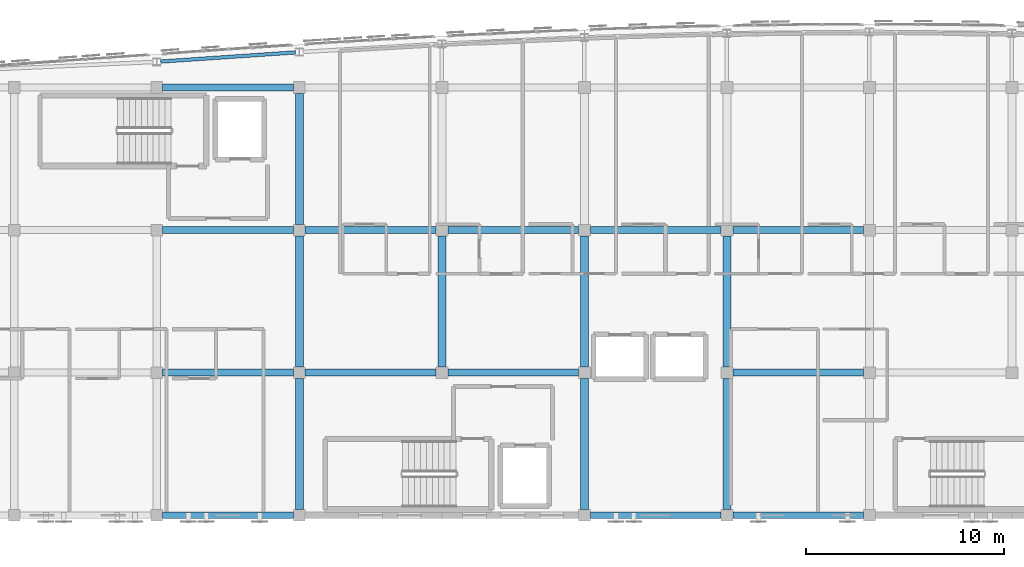
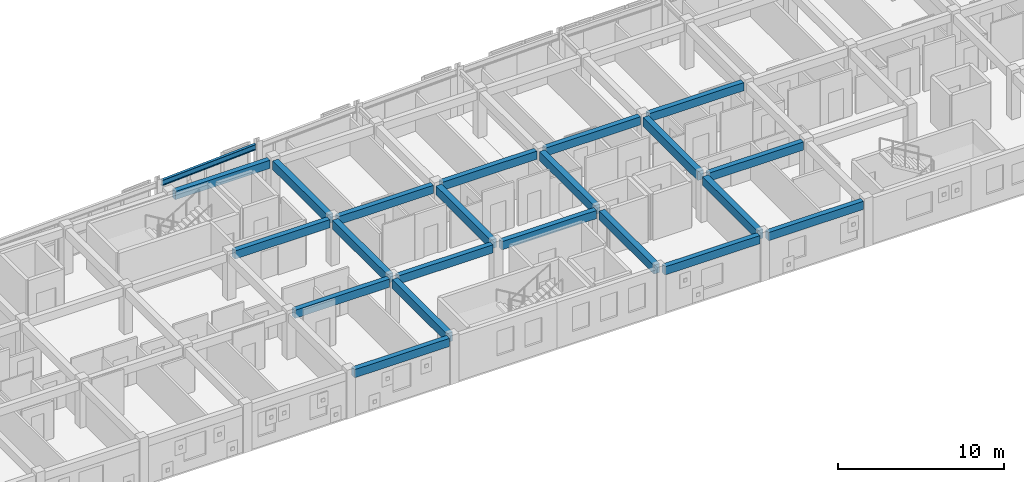
# One storey, part 10 of 45: 22 beams.
"""IFC4 building model written with IfcOpenShell, lengths in metres."""

from ifc_helpers import new_model, si_unit, direction, frame, origin, origin_2d, place, context, subcontext, project, spatial, rectangle, i_section, extrude, material, material_profile, profile_set, type_object, element, save


model = new_model("IFC4")

# Units and contexts
model_context = context("Model", 3, precision=1e-05, world=origin(), true_north=direction((0.0, 1.0)))
body_context = subcontext(model_context, "Body", "Model", "MODEL_VIEW")
ifc_project = project(units=[si_unit("LENGTHUNIT", "METRE"), si_unit("AREAUNIT", "SQUARE_METRE"), si_unit("VOLUMEUNIT", "CUBIC_METRE"), si_unit("PLANEANGLEUNIT", "RADIAN"), si_unit("MASSUNIT", "GRAM", prefix="KILO")], contexts=[model_context])

# Site, building, storey
site_placement = place(None, origin())
site = spatial("IfcSite", under=ifc_project, at=site_placement, CompositionType="ELEMENT")
building_placement = place(site_placement, origin())
building = spatial("IfcBuilding", under=site, at=building_placement, Name="Carrowvane Square Congress Hotel", CompositionType="ELEMENT")
storey_placement = place(building_placement, frame((0.0, 0.0, 33.60009765625)))
storey = spatial("IfcBuildingStorey", under=building, at=storey_placement, Name="L08", CompositionType="ELEMENT", Elevation=33.60009765625)

# Beams
ifc_material_1 = material(Name="Concrete C35/45", Category="concrete")
ifc_material_profile_1 = material_profile(ifc_material_1, rectangle(XDim=0.35009765625, YDim=0.60009765625, at=origin_2d()), Name="RC 350x600")
ifc_profile_set_1 = profile_set([ifc_material_profile_1], Name="Concrete C35/45")
beam_type_1 = type_object("IfcBeamType", Name="BM-RC-350x600", PredefinedType="BEAM", material=ifc_profile_set_1)
beam_1_placement = place(storey_placement, frame((62.300048828125, 91.800048828125, 3.059814453125), z_axis=(1.0, 0.0, 0.0), x_axis=(0.0, 1.0, 0.0)))
element("IfcBeam", 1, at=beam_1_placement, inside=storey, type_object=beam_type_1, Name="L09 girder N/8-9", PredefinedType="BEAM", context=body_context, shape_type="SweptSolid", body=[
    extrude(rectangle(XDim=0.35009765625, YDim=0.60009765625, at=origin_2d()), origin(), (0.0, 0.0, 1.0), 6.599853515625),
])
beam_2_placement = place(storey_placement, frame((83.89990234375, 91.800048828125, 3.059814453125), z_axis=(1.0, 0.0, 0.0), x_axis=(0.0, 1.0, 0.0)))
element("IfcBeam", 2, at=beam_2_placement, inside=storey, type_object=beam_type_1, Name="L09 girder N/11-12", PredefinedType="BEAM", context=body_context, shape_type="SweptSolid", body=[
    extrude(rectangle(XDim=0.35009765625, YDim=0.60009765625, at=origin_2d()), origin(), (0.0, 0.0, 1.0), 6.60009765625),
])
for number, where, z_axis, x_axis, name in (
    (3, (91.10009765625, 91.800048828125, 3.059814453125), (1.0, 0.0, 0.0), (0.0, 1.0, 0.0), "L09 girder N/12-13"),
    (4, (62.300048828125, 99.0, 3.059814453125), (1.0, 0.0, 0.0), (0.0, 1.0, 0.0), "L09 girder P/8-9"),
):
    element("IfcBeam", number, at=place(storey_placement, frame(where, z_axis=z_axis, x_axis=x_axis)), inside=storey, type_object=beam_type_1, Name=name, PredefinedType="BEAM", context=body_context, shape_type="SweptSolid", body=[
        extrude(rectangle(XDim=0.35009765625, YDim=0.60009765625, at=origin_2d()), origin(), (0.0, 0.0, 1.0), 6.599853515625),
    ])
for number, where, z_axis, x_axis, name in (
    (5, (69.5, 99.0, 3.059814453125), (1.0, 0.0, 0.0), (0.0, 1.0, 0.0), "L09 girder P/9-10"),
    (6, (76.699951171875, 99.0, 3.059814453125), (1.0, 0.0, 0.0), (0.0, 1.0, 0.0), "L09 girder P/10-11"),
):
    element("IfcBeam", number, at=place(storey_placement, frame(where, z_axis=z_axis, x_axis=x_axis)), inside=storey, type_object=beam_type_1, Name=name, PredefinedType="BEAM", context=body_context, shape_type="SweptSolid", body=[
        extrude(rectangle(XDim=0.35009765625, YDim=0.60009765625, at=origin_2d()), origin(), (0.0, 0.0, 1.0), 6.60009765625),
    ])
for number, where, z_axis, x_axis, name in (
    (7, (91.10009765625, 99.0, 3.059814453125), (1.0, 0.0, 0.0), (0.0, 1.0, 0.0), "L09 girder P/12-13"),
    (8, (62.300048828125, 106.199951171875, 3.059814453125), (1.0, 0.0, 0.0), (0.0, 1.0, 0.0), "L09 girder Q/8-9"),
):
    element("IfcBeam", number, at=place(storey_placement, frame(where, z_axis=z_axis, x_axis=x_axis)), inside=storey, type_object=beam_type_1, Name=name, PredefinedType="BEAM", context=body_context, shape_type="SweptSolid", body=[
        extrude(rectangle(XDim=0.35009765625, YDim=0.60009765625, at=origin_2d()), origin(), (0.0, 0.0, 1.0), 6.599853515625),
    ])
for number, where, z_axis, x_axis, name in (
    (9, (69.5, 106.199951171875, 3.059814453125), (1.0, 0.0, 0.0), (0.0, 1.0, 0.0), "L09 girder Q/9-10"),
    (10, (76.699951171875, 106.199951171875, 3.059814453125), (1.0, 0.0, 0.0), (0.0, 1.0, 0.0), "L09 girder Q/10-11"),
    (11, (83.89990234375, 106.199951171875, 3.059814453125), (1.0, 0.0, 0.0), (0.0, 1.0, 0.0), "L09 girder Q/11-12"),
):
    element("IfcBeam", number, at=place(storey_placement, frame(where, z_axis=z_axis, x_axis=x_axis)), inside=storey, type_object=beam_type_1, Name=name, PredefinedType="BEAM", context=body_context, shape_type="SweptSolid", body=[
        extrude(rectangle(XDim=0.35009765625, YDim=0.60009765625, at=origin_2d()), origin(), (0.0, 0.0, 1.0), 6.60009765625),
    ])
for number, where, z_axis, x_axis, name in (
    (12, (91.10009765625, 106.199951171875, 3.059814453125), (1.0, 0.0, 0.0), (0.0, 1.0, 0.0), "L09 girder Q/12-13"),
    (13, (62.300048828125, 113.39990234375, 3.059814453125), (1.0, 0.0, 0.0), (0.0, 1.0, 0.0), "L09 girder R/8-9"),
):
    element("IfcBeam", number, at=place(storey_placement, frame(where, z_axis=z_axis, x_axis=x_axis)), inside=storey, type_object=beam_type_1, Name=name, PredefinedType="BEAM", context=body_context, shape_type="SweptSolid", body=[
        extrude(rectangle(XDim=0.35009765625, YDim=0.60009765625, at=origin_2d()), origin(), (0.0, 0.0, 1.0), 6.599853515625),
    ])
ifc_material_2 = material(Name="Concrete C35/45", Category="concrete")
ifc_material_profile_2 = material_profile(ifc_material_2, rectangle(XDim=0.39990234375, YDim=0.64990234375, at=origin_2d()), Name="RC 400x650")
ifc_profile_set_2 = profile_set([ifc_material_profile_2], Name="Concrete C35/45")
beam_type_2 = type_object("IfcBeamType", Name="BM-RC-400x650", PredefinedType="BEAM", material=ifc_profile_set_2)
for number, where, z_axis, x_axis, name in (
    (14, (69.199951171875, 92.10009765625, 3.034912109375), (0.0, 1.0, 0.0), (-1.0, 0.0, 0.0), "L09 girder 9/N-P"),
    (15, (69.199951171875, 99.300048828125, 3.034912109375), (0.0, 1.0, 0.0), (-1.0, 0.0, 0.0), "L09 girder 9/P-Q"),
):
    element("IfcBeam", number, at=place(storey_placement, frame(where, z_axis=z_axis, x_axis=x_axis)), inside=storey, type_object=beam_type_2, Name=name, PredefinedType="BEAM", context=body_context, shape_type="SweptSolid", body=[
        extrude(rectangle(XDim=0.39990234375, YDim=0.64990234375, at=origin_2d()), origin(), (0.0, 0.0, 1.0), 6.599853515625),
    ])
beam_3_placement = place(storey_placement, frame((69.199951171875, 106.5, 3.034912109375), z_axis=(0.0, 1.0, 0.0), x_axis=(-1.0, 0.0, 0.0)))
element("IfcBeam", 16, at=beam_3_placement, inside=storey, type_object=beam_type_2, Name="L09 girder 9/Q-R", PredefinedType="BEAM", context=body_context, shape_type="SweptSolid", body=[
    extrude(rectangle(XDim=0.39990234375, YDim=0.64990234375, at=origin_2d()), origin(), (0.0, 0.0, 1.0), 6.60009765625),
])
for number, where, z_axis, x_axis, name in (
    (17, (76.39990234375, 99.300048828125, 3.034912109375), (0.0, 1.0, 0.0), (-1.0, 0.0, 0.0), "L09 girder 10/P-Q"),
    (18, (83.60009765625, 92.10009765625, 3.034912109375), (0.0, 1.0, 0.0), (-1.0, 0.0, 0.0), "L09 girder 11/N-P"),
    (19, (83.60009765625, 99.300048828125, 3.034912109375), (0.0, 1.0, 0.0), (-1.0, 0.0, 0.0), "L09 girder 11/P-Q"),
    (20, (90.800048828125, 92.10009765625, 3.034912109375), (0.0, 1.0, 0.0), (-1.0, 0.0, 0.0), "L09 girder 12/N-P"),
    (21, (90.800048828125, 99.300048828125, 3.034912109375), (0.0, 1.0, 0.0), (-1.0, 0.0, 0.0), "L09 girder 12/P-Q"),
):
    element("IfcBeam", number, at=place(storey_placement, frame(where, z_axis=z_axis, x_axis=x_axis)), inside=storey, type_object=beam_type_2, Name=name, PredefinedType="BEAM", context=body_context, shape_type="SweptSolid", body=[
        extrude(rectangle(XDim=0.39990234375, YDim=0.64990234375, at=origin_2d()), origin(), (0.0, 0.0, 1.0), 6.599853515625),
    ])
ifc_material_3 = material(Name="Steel S355", Category="steel")
ifc_material_profile_3 = material_profile(ifc_material_3, i_section(OverallWidth=0.1787109375, OverallDepth=0.409423828125, WebThickness=0.0087890625, FlangeThickness=0.014404296875, FilletRadius=0.01025390625, at=origin_2d()), Name="UKB 406x178x67")
ifc_profile_set_3 = profile_set([ifc_material_profile_3], Name="Steel S355")
beam_type_3 = type_object("IfcBeamType", Name="BM-ST-UKB406", PredefinedType="BEAM", material=ifc_profile_set_3)
beam_4_placement = place(storey_placement, frame((62.197021484375, 114.71923828125, 3.1552734375), z_axis=(0.99770720425, 0.067678169216, 0.0), x_axis=(-0.067678169216, 0.99770720425, 0.0)))
element("IfcBeam", 22, at=beam_4_placement, inside=storey, type_object=beam_type_3, Name="L09 curved north spandrel", PredefinedType="BEAM", context=body_context, shape_type="SweptSolid", body=[
    extrude(i_section(OverallWidth=0.1787109375, OverallDepth=0.409423828125, WebThickness=0.0087890625, FlangeThickness=0.014404296875, FilletRadius=0.01025390625, at=origin_2d()), origin(), (0.0, 0.0, 1.0), 6.821533203125),
])

save(model, "model.ifc")
